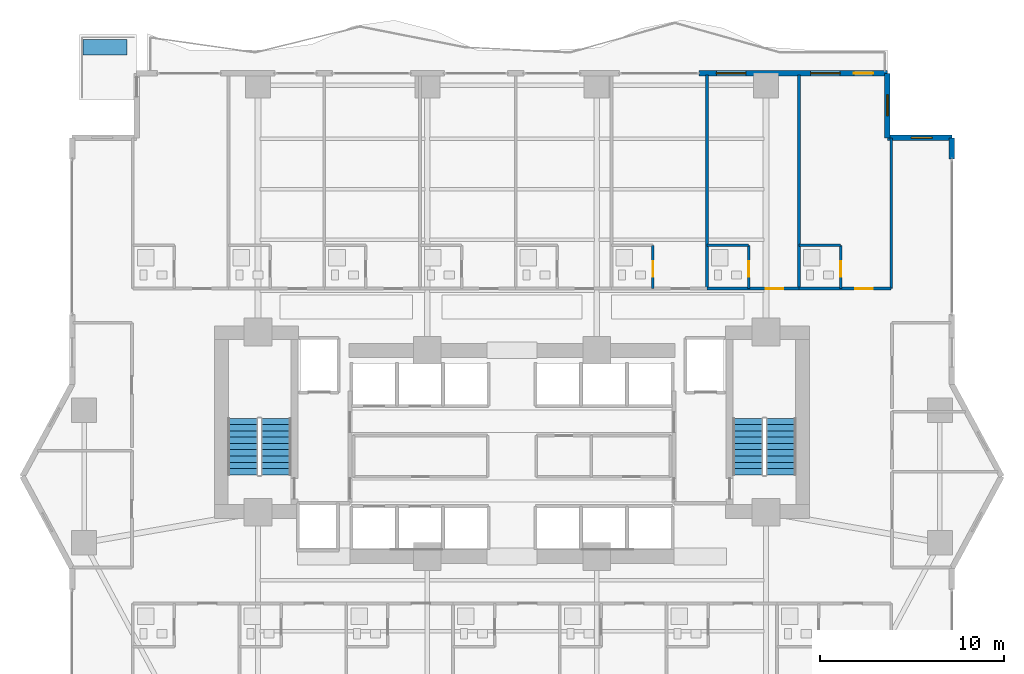
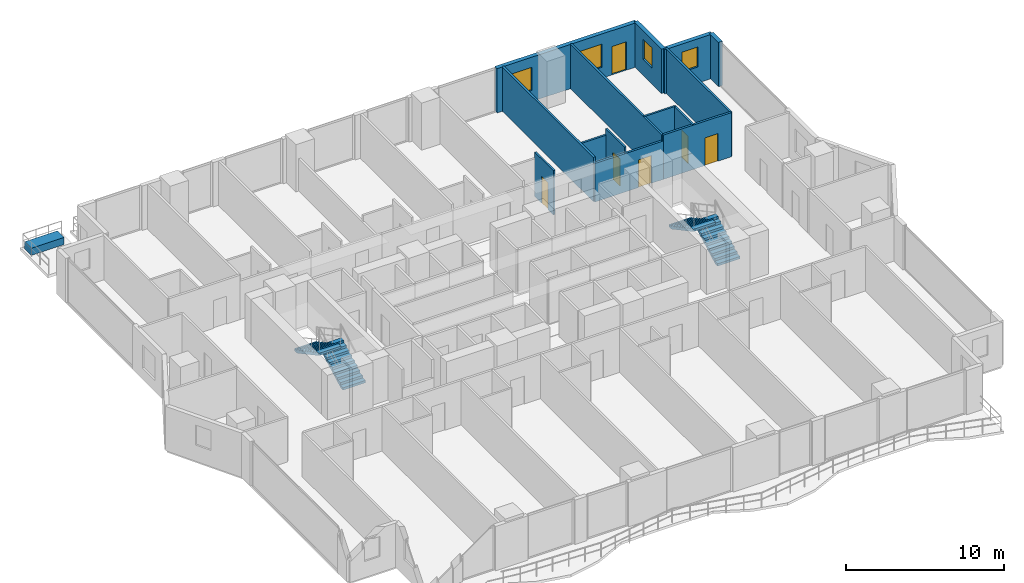
# One storey, part 25 of 29: 14 walls, 6 doors, 4 stair flights, 4 windows, 1 building element part, 10 openings, 2 elements without a shape of their own.
"""IFC4 building model written with IfcOpenShell, lengths in metres."""

from ifc_helpers import new_model, si_unit, direction, frame, frame_2d, origin, origin_2d, place, context, subcontext, project, spatial, polyline, rectangle, outline, extrude, material, layer, layer_set, type_object, element, fill, aggregate, save


model = new_model("IFC4")

# Units and contexts
model_context = context("Model", 3, precision=1e-05, world=origin(), true_north=direction((0.0, 1.0)))
body_context = subcontext(model_context, "Body", "Model", "MODEL_VIEW")
ifc_project = project(units=[si_unit("LENGTHUNIT", "METRE"), si_unit("AREAUNIT", "SQUARE_METRE"), si_unit("VOLUMEUNIT", "CUBIC_METRE"), si_unit("PLANEANGLEUNIT", "RADIAN"), si_unit("MASSUNIT", "GRAM", prefix="KILO")], contexts=[model_context])

# Site, building, storey
site_placement = place(None, origin())
site = spatial("IfcSite", under=ifc_project, at=site_placement, CompositionType="ELEMENT")
building_placement = place(site_placement, origin())
building = spatial("IfcBuilding", under=site, at=building_placement, Name="Zuhayl Quay Hotel", CompositionType="ELEMENT")
storey_placement = place(building_placement, frame((0.0, 0.0, 150.39990234375)))
storey = spatial("IfcBuildingStorey", under=building, at=storey_placement, Name="L38", CompositionType="ELEMENT", Elevation=150.39990234375)

# Wall, openings, door, windows
ifc_material_1 = material(Name="Precast concrete C45/55", Category="concrete")
ifc_layer_1 = layer(ifc_material_1, 0.300048828125, Name="Precast concrete C45/55", Category="concrete")
ifc_layer_set_1 = layer_set([ifc_layer_1], Name="Precast concrete C45/55")
wall_type_1 = type_object("IfcWallType", Name="WL_EXT_300", PredefinedType="STANDARD", material=ifc_layer_set_1)
wall_1_placement = place(storey_placement, frame((10.14990234375, 28.39990234375, 0.0), z_axis=(0.0, 0.0, 1.0), x_axis=(1.0, 0.0, 0.0)))
wall_1 = element("IfcWall", 1, at=wall_1_placement, inside=storey, type_object=wall_type_1, Name="L38 Exterior Precast Wall ENV_L38_N_EW7", PredefinedType="STANDARD", context=body_context, shape_type="SweptSolid", body=[
    extrude(rectangle(XDim=10.25, YDim=0.300048828125, at=frame_2d((5.125, 0.0))), origin(), (0.0, 0.0, 1.0), 3.43017578125),
])
opening_1_placement = place(wall_1_placement, frame((8.425048828125, 0.0, 0.0)))
opening_1 = element("IfcOpeningElement", 2, at=opening_1_placement, cuts=wall_1, Name="Opening DG1", PredefinedType="OPENING", context=body_context, shape_type="SweptSolid", body=[
    extrude(rectangle(XDim=1.050048828125, YDim=2.199951171875, at=frame_2d((0.52490234375, 1.10009765625))), frame((0.0, 0.159912109375, 0.0), z_axis=(0.0, -1.0, 0.0), x_axis=(1.0, 0.0, 0.0)), (0.0, 0.0, 1.0), 0.320068359375),
])
opening_2_placement = place(wall_1_placement, frame((0.9599609375, 0.0, 0.85009765625)))
opening_2 = element("IfcOpeningElement", 3, at=opening_2_placement, cuts=wall_1, Name="Opening W01", PredefinedType="OPENING", context=body_context, shape_type="SweptSolid", body=[
    extrude(rectangle(XDim=1.60009765625, YDim=1.800048828125, at=frame_2d((0.800048828125, 0.89990234375))), frame((0.0, 0.159912109375, 0.0), z_axis=(0.0, -1.0, 0.0), x_axis=(1.0, 0.0, 0.0)), (0.0, 0.0, 1.0), 0.320068359375),
])
opening_3_placement = place(wall_1_placement, frame((6.072509765625, 0.0, 0.85009765625)))
opening_3 = element("IfcOpeningElement", 4, at=opening_3_placement, cuts=wall_1, Name="Opening W01", PredefinedType="OPENING", context=body_context, shape_type="SweptSolid", body=[
    extrude(rectangle(XDim=1.60009765625, YDim=1.800048828125, at=frame_2d((0.800048828125, 0.89990234375))), frame((0.0, 0.159912109375, 0.0), z_axis=(0.0, -1.0, 0.0), x_axis=(1.0, 0.0, 0.0)), (0.0, 0.0, 1.0), 0.320068359375),
])
ifc_material_2 = material(Name="Anodised Aluminium and Dark Solar Glass", Category="aluminium")
door_type_1 = type_object("IfcDoorType", Name="DR_EXT_TERR_1050", OperationType="NOTDEFINED", PredefinedType="DOOR", material=ifc_material_2)
door_1_placement = place(opening_1_placement, origin())
door_1 = element("IfcDoor", 5, at=door_1_placement, inside=storey, type_object=door_type_1, Name="L38 North Rippling Balcony Door", OperationType="SINGLE_SWING_LEFT", OverallHeight=2.199951171875, OverallWidth=1.050048828125, PredefinedType="DOOR", context=body_context, shape_type="SweptSolid", body=[
    extrude(rectangle(XDim=1.050048828125, YDim=2.199951171875, at=frame_2d((0.52490234375, 1.10009765625))), frame((0.0, 0.02490234375, 0.0), z_axis=(0.0, -1.0, 0.0), x_axis=(1.0, 0.0, 0.0)), (0.0, 0.0, 1.0), 0.050048828125),
])
fill(opening_1, door_1)
ifc_material_3 = material(Name="Dark Ceramic-Fritted Solar Glass", Category="glass")
window_type_1 = type_object("IfcWindowType", Name="WN_OPERABLE_1600", PartitioningType="DOUBLE_PANEL_VERTICAL", PredefinedType="WINDOW", material=ifc_material_3)
window_1_placement = place(opening_2_placement, origin())
window_1 = element("IfcWindow", 6, at=window_1_placement, inside=storey, type_object=window_type_1, Name="L38 Operable Facade Window 7-1", OverallHeight=1.800048828125, OverallWidth=1.60009765625, PartitioningType="SINGLE_PANEL", PredefinedType="WINDOW", context=body_context, shape_type="SweptSolid", body=[
    extrude(rectangle(XDim=1.60009765625, YDim=1.800048828125, at=frame_2d((0.800048828125, 0.89990234375))), frame((0.0, 0.030029296875, 0.0), z_axis=(0.0, -1.0, 0.0), x_axis=(1.0, 0.0, 0.0)), (0.0, 0.0, 1.0), 0.06005859375),
])
fill(opening_2, window_1)
window_2_placement = place(opening_3_placement, origin())
window_2 = element("IfcWindow", 7, at=window_2_placement, inside=storey, type_object=window_type_1, Name="L38 Operable Facade Window 7-2", OverallHeight=1.800048828125, OverallWidth=1.60009765625, PartitioningType="SINGLE_PANEL", PredefinedType="WINDOW", context=body_context, shape_type="SweptSolid", body=[
    extrude(rectangle(XDim=1.60009765625, YDim=1.800048828125, at=frame_2d((0.800048828125, 0.89990234375))), frame((0.0, 0.030029296875, 0.0), z_axis=(0.0, -1.0, 0.0), x_axis=(1.0, 0.0, 0.0)), (0.0, 0.0, 1.0), 0.06005859375),
])
fill(opening_3, window_2)

# Wall, opening, window
wall_2_placement = place(storey_placement, frame((20.39990234375, 28.39990234375, 0.0), z_axis=(0.0, 0.0, 1.0), x_axis=(0.0, -1.0, 0.0)))
wall_2 = element("IfcWall", 8, at=wall_2_placement, inside=storey, type_object=wall_type_1, Name="L38 Exterior Precast Wall ENV_L38_EW09", PredefinedType="STANDARD", context=body_context, shape_type="SweptSolid", body=[
    extrude(rectangle(XDim=3.5, YDim=0.300048828125, at=frame_2d((1.75, 0.0))), origin(), (0.0, 0.0, 1.0), 3.43017578125),
])
opening_4_placement = place(wall_2_placement, frame((1.1650390625, 0.0, 1.25)))
opening_4 = element("IfcOpeningElement", 9, at=opening_4_placement, cuts=wall_2, Name="Opening W01N", PredefinedType="OPENING", context=body_context, shape_type="SweptSolid", body=[
    extrude(rectangle(XDim=1.14990234375, YDim=1.550048828125, at=frame_2d((0.574951171875, 0.77490234375))), frame((0.0, 0.159912109375, 0.0), z_axis=(0.0, -1.0, 0.0), x_axis=(1.0, 0.0, 0.0)), (0.0, 0.0, 1.0), 0.320068359375),
])
window_type_2 = type_object("IfcWindowType", Name="WN_NOTCH_1350", PartitioningType="SINGLE_PANEL", PredefinedType="WINDOW", material=ifc_material_3)
window_3_placement = place(opening_4_placement, origin())
window_3 = element("IfcWindow", 10, at=window_3_placement, inside=storey, type_object=window_type_2, Name="L38 Corner Notch Window 9", OverallHeight=1.550048828125, OverallWidth=1.14990234375, PartitioningType="SINGLE_PANEL", PredefinedType="WINDOW", context=body_context, shape_type="SweptSolid", body=[
    extrude(rectangle(XDim=1.14990234375, YDim=1.550048828125, at=frame_2d((0.574951171875, 0.77490234375))), frame((0.0, 0.030029296875, 0.0), z_axis=(0.0, -1.0, 0.0), x_axis=(1.0, 0.0, 0.0)), (0.0, 0.0, 1.0), 0.06005859375),
])
fill(opening_4, window_3)

wall_3_placement = place(storey_placement, frame((20.39990234375, 24.89990234375, 0.0), z_axis=(0.0, 0.0, 1.0), x_axis=(1.0, 0.0, 0.0)))
wall_3 = element("IfcWall", 11, at=wall_3_placement, inside=storey, type_object=wall_type_1, Name="L38 Exterior Precast Wall ENV_L38_EW10", PredefinedType="STANDARD", context=body_context, shape_type="SweptSolid", body=[
    extrude(rectangle(XDim=3.5, YDim=0.300048828125, at=frame_2d((1.75, 0.0))), origin(), (0.0, 0.0, 1.0), 3.43017578125),
])
opening_5_placement = place(wall_3_placement, frame((1.284912109375, 0.0, 1.25)))
opening_5 = element("IfcOpeningElement", 12, at=opening_5_placement, cuts=wall_3, Name="Opening W01N", PredefinedType="OPENING", context=body_context, shape_type="SweptSolid", body=[
    extrude(rectangle(XDim=1.14990234375, YDim=1.550048828125, at=frame_2d((0.574951171875, 0.77490234375))), frame((0.0, 0.159912109375, 0.0), z_axis=(0.0, -1.0, 0.0), x_axis=(1.0, 0.0, 0.0)), (0.0, 0.0, 1.0), 0.320068359375),
])
window_4_placement = place(opening_5_placement, origin())
window_4 = element("IfcWindow", 13, at=window_4_placement, inside=storey, type_object=window_type_2, Name="L38 Corner Notch Window 10", OverallHeight=1.550048828125, OverallWidth=1.14990234375, PartitioningType="SINGLE_PANEL", PredefinedType="WINDOW", context=body_context, shape_type="SweptSolid", body=[
    extrude(rectangle(XDim=1.14990234375, YDim=1.550048828125, at=frame_2d((0.574951171875, 0.77490234375))), frame((0.0, 0.030029296875, 0.0), z_axis=(0.0, -1.0, 0.0), x_axis=(1.0, 0.0, 0.0)), (0.0, 0.0, 1.0), 0.06005859375),
])
fill(opening_5, window_4)

# Walls
wall_4_placement = place(storey_placement, frame((23.89990234375, 24.89990234375, 0.0), z_axis=(0.0, 0.0, 1.0), x_axis=(0.0, -1.0, 0.0)))
element("IfcWall", 14, at=wall_4_placement, inside=storey, type_object=wall_type_1, Name="L38 Exterior Precast Wall ENV_L38_E11_EW1", PredefinedType="STANDARD", context=body_context, shape_type="SweptSolid", body=[
    extrude(rectangle(XDim=1.14990234375, YDim=0.300048828125, at=frame_2d((0.574951171875, 0.0))), origin(), (0.0, 0.0, 1.0), 3.43017578125),
])
ifc_material_4 = material(Name="Acoustic Gypsum Partition STC-58")
ifc_layer_2 = layer(ifc_material_4, 0.14990234375, Name="Acoustic Gypsum Partition STC-58")
ifc_layer_set_2 = layer_set([ifc_layer_2], Name="Acoustic Gypsum Partition STC-58")
wall_type_2 = type_object("IfcWallType", Name="WL_PART_150", PredefinedType="PARTITIONING", material=ifc_layer_set_2)
for number, where, z_axis, x_axis, name in (
    (15, (10.60009765625, 16.699951171875, 0.0), (0.0, 0.0, 1.0), (0.0, 1.0, 0.0), "L38 Partition IW_L38_NU06_E"),
    (16, (15.60009765625, 16.699951171875, 0.0), (0.0, 0.0, 1.0), (0.0, 1.0, 0.0), "L38 Partition IW_L38_NU07_E"),
):
    element("IfcWall", number, at=place(storey_placement, frame(where, z_axis=z_axis, x_axis=x_axis)), inside=storey, type_object=wall_type_2, Name=name, PredefinedType="PARTITIONING", context=body_context, shape_type="SweptSolid", body=[
        extrude(rectangle(XDim=11.6201171875, YDim=0.14990234375, at=frame_2d((5.81005859375, 0.0))), origin(), (0.0, 0.0, 1.0), 3.43017578125),
    ])
wall_5_placement = place(storey_placement, frame((20.60009765625, 16.699951171875, 0.0), z_axis=(0.0, 0.0, 1.0), x_axis=(0.0, 1.0, 0.0)))
element("IfcWall", 17, at=wall_5_placement, inside=storey, type_object=wall_type_2, Name="L38 Partition IW_L38_NU08_E", PredefinedType="PARTITIONING", context=body_context, shape_type="SweptSolid", body=[
    extrude(rectangle(XDim=8.199951171875, YDim=0.14990234375, at=frame_2d((4.10009765625, 0.0))), origin(), (0.0, 0.0, 1.0), 3.43017578125),
])

# Wall, opening, door
ifc_layer_3 = layer(ifc_material_4, 0.159912109375, Name="Acoustic Gypsum Partition STC-58")
ifc_layer_set_3 = layer_set([ifc_layer_3], Name="Acoustic Gypsum Partition STC-58")
wall_type_3 = type_object("IfcWallType", Name="WL_PART_CORR_160", PredefinedType="PARTITIONING", material=ifc_layer_set_3)
wall_6_placement = place(storey_placement, frame((10.60009765625, 16.699951171875, 0.0), z_axis=(0.0, 0.0, 1.0), x_axis=(1.0, 0.0, 0.0)))
wall_6 = element("IfcWall", 18, at=wall_6_placement, inside=storey, type_object=wall_type_3, Name="L38 Partition IW_L38_NU07_COR", PredefinedType="PARTITIONING", context=body_context, shape_type="SweptSolid", body=[
    extrude(rectangle(XDim=5.0, YDim=0.159912109375, at=frame_2d((2.5, 0.0))), origin(), (0.0, 0.0, 1.0), 2.97314453125),
])
opening_6_placement = place(wall_6_placement, frame((3.175048828125, 0.0, 0.0)))
opening_6 = element("IfcOpeningElement", 19, at=opening_6_placement, cuts=wall_6, Name="Opening D03", PredefinedType="OPENING", context=body_context, shape_type="SweptSolid", body=[
    extrude(rectangle(XDim=0.949951171875, YDim=2.14990234375, at=frame_2d((0.47509765625, 1.074951171875))), frame((0.0, 0.08984375, 0.0), z_axis=(0.0, -1.0, 0.0), x_axis=(1.0, 0.0, 0.0)), (0.0, 0.0, 1.0), 0.179931640625),
])
ifc_material_5 = material(Name="Solid Walnut Acoustic Fire Door")
door_type_2 = type_object("IfcDoorType", Name="DR_SUITE_950", OperationType="NOTDEFINED", PredefinedType="DOOR", material=ifc_material_5)
door_2_placement = place(opening_6_placement, origin())
door_2 = element("IfcDoor", 20, at=door_2_placement, inside=storey, type_object=door_type_2, Name="L38 Deluxe Gulf Guest Room L38-07 Entrance Door", OperationType="SINGLE_SWING_RIGHT", OverallHeight=2.14990234375, OverallWidth=0.949951171875, PredefinedType="DOOR", context=body_context, shape_type="SweptSolid", body=[
    extrude(rectangle(XDim=0.949951171875, YDim=2.14990234375, at=frame_2d((0.47509765625, 1.074951171875))), frame((0.0, 0.02490234375, 0.0), z_axis=(0.0, -1.0, 0.0), x_axis=(1.0, 0.0, 0.0)), (0.0, 0.0, 1.0), 0.050048828125),
])
fill(opening_6, door_2)

wall_7_placement = place(storey_placement, frame((15.60009765625, 16.699951171875, 0.0), z_axis=(0.0, 0.0, 1.0), x_axis=(1.0, 0.0, 0.0)))
wall_7 = element("IfcWall", 21, at=wall_7_placement, inside=storey, type_object=wall_type_3, Name="L38 Partition IW_L38_NU08_COR", PredefinedType="PARTITIONING", context=body_context, shape_type="SweptSolid", body=[
    extrude(rectangle(XDim=5.0, YDim=0.159912109375, at=frame_2d((2.5, 0.0))), origin(), (0.0, 0.0, 1.0), 3.43017578125),
])
opening_7_placement = place(wall_7_placement, frame((3.050048828125, 0.0, 0.0)))
opening_7 = element("IfcOpeningElement", 22, at=opening_7_placement, cuts=wall_7, Name="Opening D03", PredefinedType="OPENING", context=body_context, shape_type="SweptSolid", body=[
    extrude(rectangle(XDim=0.949951171875, YDim=2.14990234375, at=frame_2d((0.47509765625, 1.074951171875))), frame((0.0, 0.08984375, 0.0), z_axis=(0.0, -1.0, 0.0), x_axis=(1.0, 0.0, 0.0)), (0.0, 0.0, 1.0), 0.179931640625),
])
door_3_placement = place(opening_7_placement, origin())
door_3 = element("IfcDoor", 23, at=door_3_placement, inside=storey, type_object=door_type_2, Name="L38 Deluxe Gulf Guest Room L38-08 Entrance Door", OperationType="SINGLE_SWING_RIGHT", OverallHeight=2.14990234375, OverallWidth=0.949951171875, PredefinedType="DOOR", context=body_context, shape_type="SweptSolid", body=[
    extrude(rectangle(XDim=0.949951171875, YDim=2.14990234375, at=frame_2d((0.47509765625, 1.074951171875))), frame((0.0, 0.02490234375, 0.0), z_axis=(0.0, -1.0, 0.0), x_axis=(1.0, 0.0, 0.0)), (0.0, 0.0, 1.0), 0.050048828125),
])
fill(opening_7, door_3)

ifc_material_6 = material(Name="Moisture-Resistant Sanitarychase Gypsum")
ifc_layer_4 = layer(ifc_material_6, 0.135009765625, Name="Moisture-Resistant Sanitarychase Gypsum")
ifc_layer_set_4 = layer_set([ifc_layer_4], Name="Moisture-Resistant Sanitarychase Gypsum")
wall_type_4 = type_object("IfcWallType", Name="WL_PART_PLUMB_150", PredefinedType="PLUMBINGWALL", material=ifc_layer_set_4)
wall_8_placement = place(storey_placement, frame((7.659912109375, 16.699951171875, 0.0), z_axis=(0.0, 0.0, 1.0), x_axis=(0.0, 1.0, 0.0)))
wall_8 = element("IfcWall", 24, at=wall_8_placement, inside=storey, type_object=wall_type_4, Name="L38 Partition IW_L38_NU06_BE", PredefinedType="PLUMBINGWALL", context=body_context, shape_type="SweptSolid", body=[
    extrude(rectangle(XDim=2.360107421875, YDim=0.135009765625, at=frame_2d((1.18017578125, 0.0))), origin(), (0.0, 0.0, 1.0), 3.43017578125),
])
opening_8_placement = place(wall_8_placement, frame((0.64990234375, 0.0, 0.0)))
opening_8 = element("IfcOpeningElement", 25, at=opening_8_placement, cuts=wall_8, Name="Opening D04", PredefinedType="OPENING", context=body_context, shape_type="SweptSolid", body=[
    extrude(rectangle(XDim=0.85009765625, YDim=2.10009765625, at=frame_2d((0.425048828125, 1.050048828125))), frame((0.0, 0.077392578125, 0.0), z_axis=(0.0, -1.0, 0.0), x_axis=(1.0, 0.0, 0.0)), (0.0, 0.0, 1.0), 0.155029296875),
])
ifc_material_7 = material(Name="Moisture-Resistant Walnut Veneer")
door_type_3 = type_object("IfcDoorType", Name="DR_BATH_850", OperationType="NOTDEFINED", PredefinedType="DOOR", material=ifc_material_7)
door_4_placement = place(opening_8_placement, origin())
door_4 = element("IfcDoor", 26, at=door_4_placement, inside=storey, type_object=door_type_3, Name="L38 Deluxe Gulf Guest Room L38-06 En-Suite Door", OperationType="SINGLE_SWING_LEFT", OverallHeight=2.10009765625, OverallWidth=0.85009765625, PredefinedType="DOOR", context=body_context, shape_type="SweptSolid", body=[
    extrude(rectangle(XDim=0.85009765625, YDim=2.10009765625, at=frame_2d((0.425048828125, 1.050048828125))), frame((0.0, 0.02490234375, 0.0), z_axis=(0.0, -1.0, 0.0), x_axis=(1.0, 0.0, 0.0)), (0.0, 0.0, 1.0), 0.050048828125),
])
fill(opening_8, door_4)

wall_9_placement = place(storey_placement, frame((12.860107421875, 16.699951171875, 0.0), z_axis=(0.0, 0.0, 1.0), x_axis=(0.0, 1.0, 0.0)))
wall_9 = element("IfcWall", 27, at=wall_9_placement, inside=storey, type_object=wall_type_4, Name="L38 Partition IW_L38_NU07_BE", PredefinedType="PLUMBINGWALL", context=body_context, shape_type="SweptSolid", body=[
    extrude(rectangle(XDim=2.360107421875, YDim=0.135009765625, at=frame_2d((1.18017578125, 0.0))), origin(), (0.0, 0.0, 1.0), 3.43017578125),
])
opening_9_placement = place(wall_9_placement, frame((0.64990234375, 0.0, 0.0)))
opening_9 = element("IfcOpeningElement", 28, at=opening_9_placement, cuts=wall_9, Name="Opening D04", PredefinedType="OPENING", context=body_context, shape_type="SweptSolid", body=[
    extrude(rectangle(XDim=0.85009765625, YDim=2.10009765625, at=frame_2d((0.425048828125, 1.050048828125))), frame((0.0, 0.077392578125, 0.0), z_axis=(0.0, -1.0, 0.0), x_axis=(1.0, 0.0, 0.0)), (0.0, 0.0, 1.0), 0.155029296875),
])
door_5_placement = place(opening_9_placement, origin())
door_5 = element("IfcDoor", 29, at=door_5_placement, inside=storey, type_object=door_type_3, Name="L38 Deluxe Gulf Guest Room L38-07 En-Suite Door", OperationType="SINGLE_SWING_LEFT", OverallHeight=2.10009765625, OverallWidth=0.85009765625, PredefinedType="DOOR", context=body_context, shape_type="SweptSolid", body=[
    extrude(rectangle(XDim=0.85009765625, YDim=2.10009765625, at=frame_2d((0.425048828125, 1.050048828125))), frame((0.0, 0.02490234375, 0.0), z_axis=(0.0, -1.0, 0.0), x_axis=(1.0, 0.0, 0.0)), (0.0, 0.0, 1.0), 0.050048828125),
])
fill(opening_9, door_5)

wall_10_placement = place(storey_placement, frame((17.860107421875, 16.699951171875, 0.0), z_axis=(0.0, 0.0, 1.0), x_axis=(0.0, 1.0, 0.0)))
wall_10 = element("IfcWall", 30, at=wall_10_placement, inside=storey, type_object=wall_type_4, Name="L38 Partition IW_L38_NU08_BE", PredefinedType="PLUMBINGWALL", context=body_context, shape_type="SweptSolid", body=[
    extrude(rectangle(XDim=2.360107421875, YDim=0.135009765625, at=frame_2d((1.18017578125, 0.0))), origin(), (0.0, 0.0, 1.0), 3.43017578125),
])
opening_10_placement = place(wall_10_placement, frame((0.64990234375, 0.0, 0.0)))
opening_10 = element("IfcOpeningElement", 31, at=opening_10_placement, cuts=wall_10, Name="Opening D04", PredefinedType="OPENING", context=body_context, shape_type="SweptSolid", body=[
    extrude(rectangle(XDim=0.85009765625, YDim=2.10009765625, at=frame_2d((0.425048828125, 1.050048828125))), frame((0.0, 0.077392578125, 0.0), z_axis=(0.0, -1.0, 0.0), x_axis=(1.0, 0.0, 0.0)), (0.0, 0.0, 1.0), 0.155029296875),
])
door_6_placement = place(opening_10_placement, origin())
door_6 = element("IfcDoor", 32, at=door_6_placement, inside=storey, type_object=door_type_3, Name="L38 Deluxe Gulf Guest Room L38-08 En-Suite Door", OperationType="SINGLE_SWING_LEFT", OverallHeight=2.10009765625, OverallWidth=0.85009765625, PredefinedType="DOOR", context=body_context, shape_type="SweptSolid", body=[
    extrude(rectangle(XDim=0.85009765625, YDim=2.10009765625, at=frame_2d((0.425048828125, 1.050048828125))), frame((0.0, 0.02490234375, 0.0), z_axis=(0.0, -1.0, 0.0), x_axis=(1.0, 0.0, 0.0)), (0.0, 0.0, 1.0), 0.050048828125),
])
fill(opening_10, door_6)

# Walls
wall_11_placement = place(storey_placement, frame((10.60009765625, 19.06005859375, 0.0), z_axis=(0.0, 0.0, 1.0), x_axis=(1.0, 0.0, 0.0)))
element("IfcWall", 33, at=wall_11_placement, inside=storey, type_object=wall_type_4, Name="L38 Partition IW_L38_NU07_BN", PredefinedType="PLUMBINGWALL", context=body_context, shape_type="SweptSolid", body=[
    extrude(rectangle(XDim=2.260009765625, YDim=0.135009765625, at=frame_2d((1.1298828125, 0.0))), origin(), (0.0, 0.0, 1.0), 2.97314453125),
])
wall_12_placement = place(storey_placement, frame((15.60009765625, 19.06005859375, 0.0), z_axis=(0.0, 0.0, 1.0), x_axis=(1.0, 0.0, 0.0)))
element("IfcWall", 34, at=wall_12_placement, inside=storey, type_object=wall_type_4, Name="L38 Partition IW_L38_NU08_BN", PredefinedType="PLUMBINGWALL", context=body_context, shape_type="SweptSolid", body=[
    extrude(rectangle(XDim=2.260009765625, YDim=0.135009765625, at=frame_2d((1.1298828125, 0.0))), origin(), (0.0, 0.0, 1.0), 3.43017578125),
])

# Stair, stair flights
ifc_material_8 = material(Name="Concrete C45/55", Category="concrete")
stair_type = type_object("IfcStairType", Name="ST_DOGLEG_TOWER", PredefinedType="HALF_TURN_STAIR", material=ifc_material_8)
stair_1_placement = place(storey_placement, origin())
stair_1 = element("IfcStair", 35, at=stair_1_placement, inside=storey, type_object=stair_type, Name="L38 Smokeproof Exit Stair ST1", PredefinedType="HALF_TURN_STAIR")
ifc_layer_5 = layer(ifc_material_8, 0.159912109375, Name="Concrete C45/55", Category="concrete")
ifc_layer_set_5 = layer_set([ifc_layer_5], Name="Concrete C45/55")
stair_flight_type = type_object("IfcStairFlightType", Name="SF_CONC_164", PredefinedType="STRAIGHT", material=ifc_layer_set_5)
stair_flight_1_placement = place(storey_placement, frame((-12.820068359375, 6.590087890625, 0.0), z_axis=(0.0, 0.0, 1.0), x_axis=(0.0, 1.0, 0.0)))
stair_flight_1 = element("IfcStairFlight", 36, at=stair_flight_1_placement, type_object=stair_flight_type, Name="ST1 flight 1", NumberOfRisers=10, NumberOfTreads=9, PredefinedType="STRAIGHT", RiserHeight=0.1825, TreadLength=0.34, context=body_context, shape_type="SweptSolid", body=[
    extrude(outline(polyline([(0.0, 0.0), (0.0, 0.1826171875), (0.340087890625, 0.1826171875), (0.340087890625, 0.364990234375), (0.679931640625, 0.364990234375), (0.679931640625, 0.547607421875), (1.02001953125, 0.547607421875), (1.02001953125, 0.72998046875), (1.360107421875, 0.72998046875), (1.360107421875, 0.91259765625), (1.699951171875, 0.91259765625), (1.699951171875, 1.094970703125), (2.0400390625, 1.094970703125), (2.0400390625, 1.277587890625), (2.3798828125, 1.277587890625), (2.3798828125, 1.4599609375), (2.719970703125, 1.4599609375), (2.719970703125, 1.642578125), (3.06005859375, 1.642578125), (3.06005859375, 1.824951171875), (3.06005859375, 1.472412109375), (0.31689453125, 0.0), (0.0, 0.0)])), frame((0.0, 0.81982421875, 0.0), z_axis=(0.0, -1.0, 0.0), x_axis=(1.0, 0.0, 0.0)), (0.0, 0.0, 1.0), 1.639892578125),
])
stair_flight_2_placement = place(storey_placement, frame((-14.610107421875, 9.64990234375, 1.8251953125), z_axis=(0.0, 0.0, 1.0), x_axis=(0.0, -1.0, 0.0)))
stair_flight_2 = element("IfcStairFlight", 37, at=stair_flight_2_placement, type_object=stair_flight_type, Name="ST1 flight 2", NumberOfRisers=10, NumberOfTreads=9, PredefinedType="STRAIGHT", RiserHeight=0.1825, TreadLength=0.34, context=body_context, shape_type="SweptSolid", body=[
    extrude(outline(polyline([(0.0, 0.0), (0.0, 0.1826171875), (0.340087890625, 0.1826171875), (0.340087890625, 0.364990234375), (0.679931640625, 0.364990234375), (0.679931640625, 0.547607421875), (1.02001953125, 0.547607421875), (1.02001953125, 0.72998046875), (1.360107421875, 0.72998046875), (1.360107421875, 0.91259765625), (1.699951171875, 0.91259765625), (1.699951171875, 1.094970703125), (2.0400390625, 1.094970703125), (2.0400390625, 1.277587890625), (2.3798828125, 1.277587890625), (2.3798828125, 1.4599609375), (2.719970703125, 1.4599609375), (2.719970703125, 1.642578125), (3.06005859375, 1.642578125), (3.06005859375, 1.824951171875), (3.06005859375, 1.472412109375), (0.31689453125, 0.0), (0.0, 0.0)])), frame((0.0, 0.81982421875, 0.0), z_axis=(0.0, -1.0, 0.0), x_axis=(1.0, 0.0, 0.0)), (0.0, 0.0, 1.0), 1.639892578125),
])
aggregate(stair_1, [stair_flight_1, stair_flight_2])

stair_2_placement = place(storey_placement, origin())
stair_2 = element("IfcStair", 38, at=stair_2_placement, inside=storey, type_object=stair_type, Name="L38 Smokeproof Exit Stair ST2", PredefinedType="HALF_TURN_STAIR")
stair_flight_3_placement = place(storey_placement, frame((14.610107421875, 6.590087890625, 0.0), z_axis=(0.0, 0.0, 1.0), x_axis=(0.0, 1.0, 0.0)))
stair_flight_3 = element("IfcStairFlight", 39, at=stair_flight_3_placement, type_object=stair_flight_type, Name="ST2 flight 1", NumberOfRisers=10, NumberOfTreads=9, PredefinedType="STRAIGHT", RiserHeight=0.1825, TreadLength=0.34, context=body_context, shape_type="SweptSolid", body=[
    extrude(outline(polyline([(0.0, 0.0), (0.0, 0.1826171875), (0.340087890625, 0.1826171875), (0.340087890625, 0.364990234375), (0.679931640625, 0.364990234375), (0.679931640625, 0.547607421875), (1.02001953125, 0.547607421875), (1.02001953125, 0.72998046875), (1.360107421875, 0.72998046875), (1.360107421875, 0.91259765625), (1.699951171875, 0.91259765625), (1.699951171875, 1.094970703125), (2.0400390625, 1.094970703125), (2.0400390625, 1.277587890625), (2.3798828125, 1.277587890625), (2.3798828125, 1.4599609375), (2.719970703125, 1.4599609375), (2.719970703125, 1.642578125), (3.06005859375, 1.642578125), (3.06005859375, 1.824951171875), (3.06005859375, 1.472412109375), (0.31689453125, 0.0), (0.0, 0.0)])), frame((0.0, 0.81982421875, 0.0), z_axis=(0.0, -1.0, 0.0), x_axis=(1.0, 0.0, 0.0)), (0.0, 0.0, 1.0), 1.639892578125),
])
stair_flight_4_placement = place(storey_placement, frame((12.820068359375, 9.64990234375, 1.8251953125), z_axis=(0.0, 0.0, 1.0), x_axis=(0.0, -1.0, 0.0)))
stair_flight_4 = element("IfcStairFlight", 40, at=stair_flight_4_placement, type_object=stair_flight_type, Name="ST2 flight 2", NumberOfRisers=10, NumberOfTreads=9, PredefinedType="STRAIGHT", RiserHeight=0.1825, TreadLength=0.34, context=body_context, shape_type="SweptSolid", body=[
    extrude(outline(polyline([(0.0, 0.0), (0.0, 0.1826171875), (0.340087890625, 0.1826171875), (0.340087890625, 0.364990234375), (0.679931640625, 0.364990234375), (0.679931640625, 0.547607421875), (1.02001953125, 0.547607421875), (1.02001953125, 0.72998046875), (1.360107421875, 0.72998046875), (1.360107421875, 0.91259765625), (1.699951171875, 0.91259765625), (1.699951171875, 1.094970703125), (2.0400390625, 1.094970703125), (2.0400390625, 1.277587890625), (2.3798828125, 1.277587890625), (2.3798828125, 1.4599609375), (2.719970703125, 1.4599609375), (2.719970703125, 1.642578125), (3.06005859375, 1.642578125), (3.06005859375, 1.824951171875), (3.06005859375, 1.472412109375), (0.31689453125, 0.0), (0.0, 0.0)])), frame((0.0, 0.81982421875, 0.0), z_axis=(0.0, -1.0, 0.0), x_axis=(1.0, 0.0, 0.0)), (0.0, 0.0, 1.0), 1.639892578125),
])
aggregate(stair_2, [stair_flight_3, stair_flight_4])

# Building element part
ifc_layer_6 = layer(ifc_material_1, 0.550048828125, Name="Precast concrete C45/55", Category="concrete")
ifc_layer_set_6 = layer_set([ifc_layer_6], Name="Precast concrete C45/55")
building_element_part_type = type_object("IfcBuildingElementPartType", Name="PT_PLANTER_KERB", PredefinedType="PRECASTPANEL", material=ifc_layer_set_6)
building_element_part_placement = place(storey_placement, frame((-22.110107421875, 29.81005859375, 0.0), z_axis=(0.0, 0.0, 1.0), x_axis=(1.0, 0.0, 0.0)))
element("IfcBuildingElementPart", 41, at=building_element_part_placement, inside=storey, type_object=building_element_part_type, Name="L38 Spiral Sky-Terrace Planter Box NW", PredefinedType="PRECASTPANEL", context=body_context, shape_type="SweptSolid", body=[
    extrude(rectangle(XDim=2.39990234375, YDim=0.85009765625, at=origin_2d()), origin(), (0.0, 0.0, 1.0), 0.550048828125),
])

save(model, "model.ifc")
